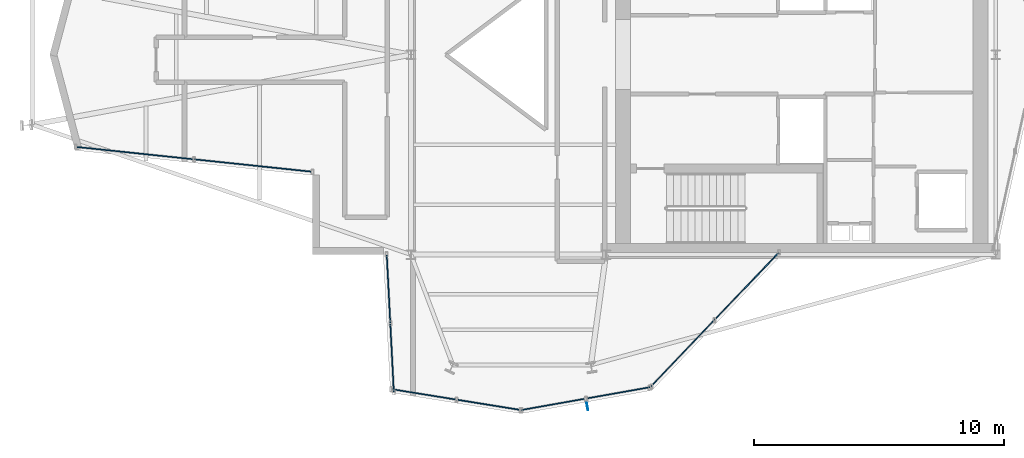
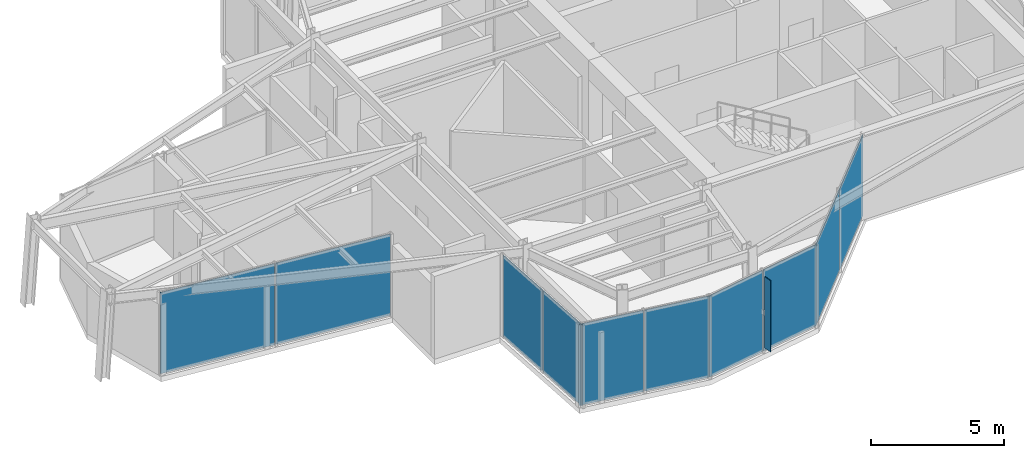
# One storey, part 8 of 14: 11 plates, 5 elements without a shape of their own.
"""IFC4 building model written with IfcOpenShell, lengths in metres."""

from ifc_helpers import new_model, si_unit, direction, frame, origin, origin_2d, place, context, subcontext, project, spatial, rectangle, extrude, material, layer, layer_set, type_object, element, aggregate, save


model = new_model("IFC4")

# Units and contexts
model_context = context("Model", 3, precision=1e-05, world=origin(), true_north=direction((0.0, 1.0)))
body_context = subcontext(model_context, "Body", "Model", "MODEL_VIEW")
ifc_project = project(units=[si_unit("LENGTHUNIT", "METRE"), si_unit("AREAUNIT", "SQUARE_METRE"), si_unit("VOLUMEUNIT", "CUBIC_METRE"), si_unit("PLANEANGLEUNIT", "RADIAN"), si_unit("MASSUNIT", "GRAM", prefix="KILO")], contexts=[model_context])

# Site, building, storey
site_placement = place(None, origin())
site = spatial("IfcSite", under=ifc_project, at=site_placement, CompositionType="ELEMENT")
building_placement = place(site_placement, origin())
building = spatial("IfcBuilding", under=site, at=building_placement, Name="Veymaron Broadcast Tower", CompositionType="ELEMENT")
storey_placement = place(building_placement, frame((0.0, 0.0, 299.25)))
storey = spatial("IfcBuildingStorey", under=building, at=storey_placement, Name="L70", CompositionType="ELEMENT", Elevation=299.25)

# Curtain wall, plates
ifc_material_1 = material(Name="Anodised aluminium AA 6063-T6 and laminated low-E dark glass", Category="aluminium")
ifc_layer_1 = layer(ifc_material_1, 0.179931640625)
ifc_layer_set_1 = layer_set([ifc_layer_1], Name="Anodised aluminium AA 6063-T6 and laminated low-E dark glass")
curtain_wall_type = type_object("IfcCurtainWallType", Name="CW-SYS-06", PredefinedType="NOTDEFINED", material=ifc_layer_set_1)
curtain_wall_1_placement = place(storey_placement, origin())
curtain_wall_1 = element("IfcCurtainWall", 1, at=curtain_wall_1_placement, inside=storey, type_object=curtain_wall_type, Name="L70 dark-glass curtain wall CW-L70-E14-1", PredefinedType="NOTDEFINED")
ifc_material_2 = material(Name="Insulated dark-anodised aluminium spandrel panel 40 mm", Category="aluminium")
ifc_layer_2 = layer(ifc_material_2, 0.0400390625)
ifc_layer_set_2 = layer_set([ifc_layer_2], Name="Insulated dark-anodised aluminium spandrel panel 40 mm")
plate_type_1 = type_object("IfcPlateType", Name="CW-PNL-03", PredefinedType="CURTAIN_PANEL", material=ifc_layer_set_2)
plate_1_placement = place(storey_placement, frame((20.14697265625, 20.064453125, 0.0400390625), z_axis=(0.0, 0.0, 1.0), x_axis=(0.994518246031, -0.104563178567, 0.0)))
plate_1 = element("IfcPlate", 2, at=plate_1_placement, type_object=plate_type_1, Name="CW-L70-E14-1 unitised curtain panel 0", PredefinedType="CURTAIN_PANEL", context=body_context, shape_type="SweptSolid", body=[
    extrude(rectangle(XDim=4.7109375, YDim=0.0400390625, at=origin_2d()), origin(), (0.0, 0.0, 1.0), 3.72998046875),
])
plate_2_placement = place(storey_placement, frame((24.891845703125, 19.5654296875, 0.0400390625), z_axis=(0.0, 0.0, 1.0), x_axis=(0.994518246031, -0.104563178567, 0.0)))
plate_2 = element("IfcPlate", 3, at=plate_2_placement, type_object=plate_type_1, Name="CW-L70-E14-1 unitised curtain panel 1", PredefinedType="CURTAIN_PANEL", context=body_context, shape_type="SweptSolid", body=[
    extrude(rectangle(XDim=4.7109375, YDim=0.0400390625, at=origin_2d()), origin(), (0.0, 0.0, 1.0), 3.72998046875),
])
aggregate(curtain_wall_1, [plate_1, plate_2])

curtain_wall_2_placement = place(storey_placement, origin())
curtain_wall_2 = element("IfcCurtainWall", 4, at=curtain_wall_2_placement, inside=storey, type_object=curtain_wall_type, Name="L70 dark-glass curtain wall CW-L70-E17-1", PredefinedType="NOTDEFINED")
plate_3_placement = place(storey_placement, frame((30.301513671875, 14.6279296875, 0.0400390625), z_axis=(0.0, 0.0, 1.0), x_axis=(0.051377316741, -0.998679313556, 0.0)))
plate_3 = element("IfcPlate", 5, at=plate_3_placement, type_object=plate_type_1, Name="CW-L70-E17-1 unitised curtain panel 0", PredefinedType="CURTAIN_PANEL", context=body_context, shape_type="SweptSolid", body=[
    extrude(rectangle(XDim=2.7021484375, YDim=0.0400390625, at=origin_2d()), origin(), (0.0, 0.0, 1.0), 3.72998046875),
])
plate_4_placement = place(storey_placement, frame((30.443359375, 11.869384765625, 0.0400390625), z_axis=(0.0, 0.0, 1.0), x_axis=(0.051377316741, -0.998679313556, 0.0)))
plate_4 = element("IfcPlate", 6, at=plate_4_placement, type_object=plate_type_1, Name="CW-L70-E17-1 unitised curtain panel 1", PredefinedType="CURTAIN_PANEL", context=body_context, shape_type="SweptSolid", body=[
    extrude(rectangle(XDim=2.7021484375, YDim=0.0400390625, at=origin_2d()), origin(), (0.0, 0.0, 1.0), 3.72998046875),
])
aggregate(curtain_wall_2, [plate_3, plate_4])

curtain_wall_3_placement = place(storey_placement, origin())
curtain_wall_3 = element("IfcCurtainWall", 7, at=curtain_wall_3_placement, inside=storey, type_object=curtain_wall_type, Name="L70 dark-glass curtain wall CW-L70-E18-1", PredefinedType="NOTDEFINED")
plate_5_placement = place(storey_placement, frame((31.70556640625, 10.409912109375, 0.0400390625), z_axis=(0.0, 0.0, 1.0), x_axis=(0.987250420904, -0.15917476692, 0.0)))
plate_5 = element("IfcPlate", 8, at=plate_5_placement, type_object=plate_type_1, Name="CW-L70-E18-1 unitised curtain panel 0", PredefinedType="CURTAIN_PANEL", context=body_context, shape_type="SweptSolid", body=[
    extrude(rectangle(XDim=2.59130859375, YDim=0.0400390625, at=origin_2d()), origin(), (0.0, 0.0, 1.0), 3.72998046875),
])
plate_6_placement = place(storey_placement, frame((34.32275390625, 9.988037109375, 0.0400390625), z_axis=(0.0, 0.0, 1.0), x_axis=(0.987250420904, -0.15917476692, 0.0)))
plate_6 = element("IfcPlate", 9, at=plate_6_placement, type_object=plate_type_1, Name="CW-L70-E18-1 unitised curtain panel 1", PredefinedType="CURTAIN_PANEL", context=body_context, shape_type="SweptSolid", body=[
    extrude(rectangle(XDim=2.59130859375, YDim=0.0400390625, at=origin_2d()), origin(), (0.0, 0.0, 1.0), 3.72998046875),
])
aggregate(curtain_wall_3, [plate_5, plate_6])

curtain_wall_4_placement = place(storey_placement, origin())
curtain_wall_4 = element("IfcCurtainWall", 10, at=curtain_wall_4_placement, inside=storey, type_object=curtain_wall_type, Name="L70 dark-glass curtain wall CW-L70-E19-1", PredefinedType="NOTDEFINED")
plate_7_placement = place(storey_placement, frame((36.8935546875, 10.0087890625, 0.0400390625), z_axis=(0.0, 0.0, 1.0), x_axis=(0.984634513959, 0.174627815429, 0.0)))
plate_7 = element("IfcPlate", 11, at=plate_7_placement, type_object=plate_type_1, Name="CW-L70-E19-1 unitised curtain panel 0", PredefinedType="CURTAIN_PANEL", context=body_context, shape_type="SweptSolid", body=[
    extrude(rectangle(XDim=2.59814453125, YDim=0.0400390625, at=origin_2d()), origin(), (0.0, 0.0, 1.0), 3.72998046875),
])
plate_8_placement = place(storey_placement, frame((39.5107421875, 10.472900390625, 0.0400390625), z_axis=(0.0, 0.0, 1.0), x_axis=(0.984634513959, 0.174627815429, 0.0)))
plate_8 = element("IfcPlate", 12, at=plate_8_placement, type_object=plate_type_1, Name="CW-L70-E19-1 unitised curtain panel 1", PredefinedType="CURTAIN_PANEL", context=body_context, shape_type="SweptSolid", body=[
    extrude(rectangle(XDim=2.59814453125, YDim=0.0400390625, at=origin_2d()), origin(), (0.0, 0.0, 1.0), 3.72998046875),
])
aggregate(curtain_wall_4, [plate_7, plate_8])

curtain_wall_5_placement = place(storey_placement, origin())
curtain_wall_5 = element("IfcCurtainWall", 13, at=curtain_wall_5_placement, inside=storey, type_object=curtain_wall_type, Name="L70 dark-glass curtain wall CW-L70-E20-1", PredefinedType="NOTDEFINED")
plate_9_placement = place(storey_placement, frame((42.04052734375, 12.022216796875, 0.0400390625), z_axis=(0.0, 0.0, 1.0), x_axis=(0.690869792815, 0.722979203972, 0.0)))
plate_9 = element("IfcPlate", 14, at=plate_9_placement, type_object=plate_type_1, Name="CW-L70-E20-1 unitised curtain panel 0", PredefinedType="CURTAIN_PANEL", context=body_context, shape_type="SweptSolid", body=[
    extrude(rectangle(XDim=3.697265625, YDim=0.0400390625, at=origin_2d()), origin(), (0.0, 0.0, 1.0), 3.72998046875),
])
plate_10_placement = place(storey_placement, frame((44.636474609375, 14.738525390625, 0.0400390625), z_axis=(0.0, 0.0, 1.0), x_axis=(0.690869792815, 0.722979203972, 0.0)))
plate_10 = element("IfcPlate", 15, at=plate_10_placement, type_object=plate_type_1, Name="CW-L70-E20-1 unitised curtain panel 1", PredefinedType="CURTAIN_PANEL", context=body_context, shape_type="SweptSolid", body=[
    extrude(rectangle(XDim=3.697265625, YDim=0.0400390625, at=origin_2d()), origin(), (0.0, 0.0, 1.0), 3.72998046875),
])
aggregate(curtain_wall_5, [plate_9, plate_10])

# Plate
ifc_material_3 = material(Name="Dark-anodised aluminium AA 6061-T6", Category="aluminium")
ifc_layer_3 = layer(ifc_material_3, 0.030029296875)
ifc_layer_set_3 = layer_set([ifc_layer_3], Name="Dark-anodised aluminium AA 6061-T6")
plate_type_2 = type_object("IfcPlateType", Name="FIN-CHEV-02", PredefinedType="USERDEFINED", material=ifc_layer_set_3)
plate_11_placement = place(storey_placement, frame((38.255615234375, 9.9404296875, 0.2666015625), z_axis=(0.0, 0.0, 1.0), x_axis=(0.174627815429, -0.984634513959, 0.0)))
element("IfcPlate", 16, at=plate_11_placement, inside=storey, type_object=plate_type_2, Name="CW-L70-E19-1 chevron fin 1", ObjectType="FIN", PredefinedType="USERDEFINED", context=body_context, shape_type="SweptSolid", body=[
    extrude(rectangle(XDim=0.35009765625, YDim=0.034912109375, at=origin_2d()), origin(), (0.0, 0.0, 1.0), 3.276611328125),
])

save(model, "model.ifc")
